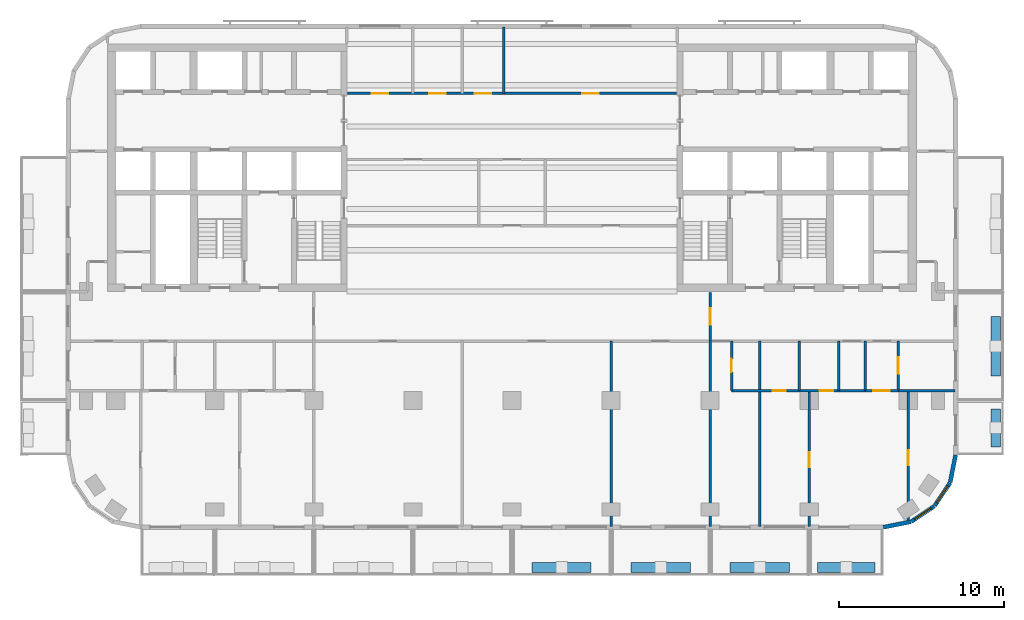
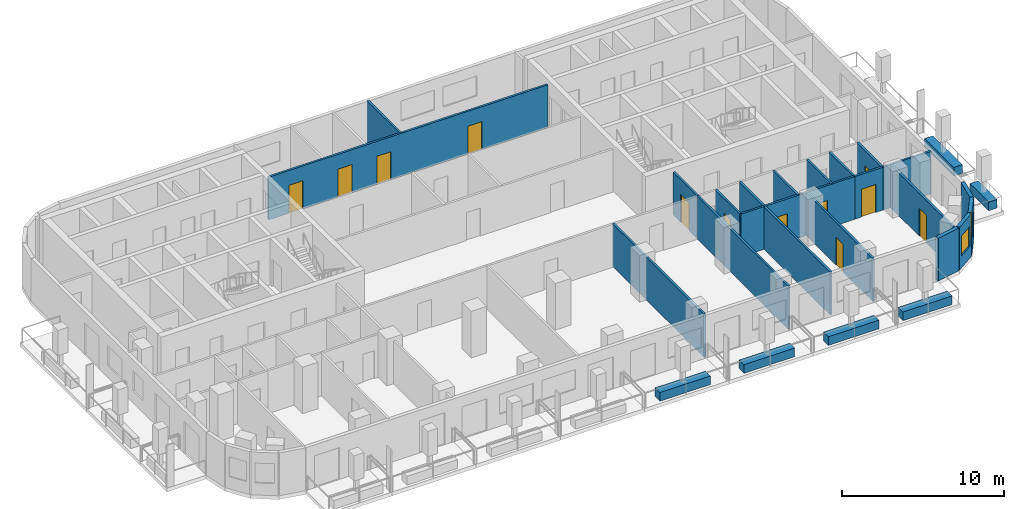
# One storey, part 5 of 11: 26 walls, 12 doors, 2 windows, 14 openings.
"""IFC4 building model written with IfcOpenShell, lengths in metres."""

from ifc_helpers import new_model, si_unit, direction, frame, frame_2d, origin, place, context, subcontext, project, spatial, rectangle, extrude, material, layer, layer_set, type_object, element, fill, save


model = new_model("IFC4")

# Units and contexts
model_context = context("Model", 3, precision=1e-05, world=origin(), true_north=direction((0.0, 1.0)))
body_context = subcontext(model_context, "Body", "Model", "MODEL_VIEW")
ifc_project = project(units=[si_unit("LENGTHUNIT", "METRE"), si_unit("AREAUNIT", "SQUARE_METRE"), si_unit("VOLUMEUNIT", "CUBIC_METRE"), si_unit("PLANEANGLEUNIT", "RADIAN"), si_unit("MASSUNIT", "GRAM", prefix="KILO")], contexts=[model_context])

# Site, building, storey
site_placement = place(None, origin())
site = spatial("IfcSite", under=ifc_project, at=site_placement, CompositionType="ELEMENT")
building_placement = place(site_placement, origin())
building = spatial("IfcBuilding", under=site, at=building_placement, Name="Torana Hotel and Residences", CompositionType="ELEMENT")
storey_placement = place(building_placement, frame((0.0, 0.0, 225.60009765625)))
storey = spatial("IfcBuildingStorey", under=building, at=storey_placement, Name="L59", CompositionType="ELEMENT", Elevation=225.60009765625)

# Wall
ifc_material_1 = material(Name="Black aluminium composite panel", Category="aluminium")
ifc_layer_1 = layer(ifc_material_1, 0.00390625, Name="Cladding", Category="cladding")
ifc_material_2 = material(Name="Ventilated air cavity")
ifc_layer_2 = layer(ifc_material_2, 0.0400390625, Name="Ventilated cavity", Category="cavity")
ifc_material_3 = material(Name="Mineral wool insulation")
ifc_layer_3 = layer(ifc_material_3, 0.090087890625, Name="Insulation", Category="insulation")
ifc_material_4 = material(Name="Steel S280GD", Category="steel")
ifc_layer_4 = layer(ifc_material_4, 0.092041015625, Name="Steel stud frame", Category="structure")
ifc_material_5 = material(Name="Fire rated plasterboard")
ifc_layer_5 = layer(ifc_material_5, 0.011962890625, Name="Inner board", Category="finish")
ifc_layer_6 = layer(ifc_material_5, 0.011962890625, Name="Second board", Category="finish")
ifc_layer_set_1 = layer_set([ifc_layer_1, ifc_layer_2, ifc_layer_3, ifc_layer_4, ifc_layer_5, ifc_layer_6], Name="EW1 EXTERNAL WALL BLACK METAL CLAD 250")
wall_type_1 = type_object("IfcWallType", Name="EW1 EXTERNAL WALL BLACK METAL CLAD 250", PredefinedType="SOLIDWALL", material=ifc_layer_set_1)
wall_1_placement = place(storey_placement, frame((22.499755859375, -29.272705078125, 0.0), z_axis=(0.0, 0.0, 1.0), x_axis=(0.980775640221, 0.19513878023, 0.0)))
element("IfcWall", 1, at=wall_1_placement, inside=storey, type_object=wall_type_1, Name="External wall L59 e0.15", PredefinedType="SOLIDWALL", context=body_context, shape_type="SweptSolid", body=[
    extrude(rectangle(XDim=1.681396484375, YDim=0.25, at=frame_2d((0.8408203125, 0.0))), origin(), (0.0, 0.0, 1.0), 3.219970703125),
])

# Wall, opening, window
wall_2_placement = place(storey_placement, frame((24.194091796875, -28.92578125, 0.0), z_axis=(0.0, 0.0, 1.0), x_axis=(0.831482937015, 0.55555029066, 0.0)))
wall_2 = element("IfcWall", 2, at=wall_2_placement, inside=storey, type_object=wall_type_1, Name="External wall L59 e0.16", PredefinedType="SOLIDWALL", context=body_context, shape_type="SweptSolid", body=[
    extrude(rectangle(XDim=1.65625, YDim=0.25, at=frame_2d((0.828125, 0.0))), origin(), (0.0, 0.0, 1.0), 3.219970703125),
])
opening_1_placement = place(wall_2_placement, frame((0.228271484375, 0.0, 0.89990234375)))
opening_1 = element("IfcOpeningElement", 3, at=opening_1_placement, cuts=wall_2, Name="Opening W5", PredefinedType="OPENING", context=body_context, shape_type="SweptSolid", body=[
    extrude(rectangle(XDim=1.199951171875, YDim=1.5, at=frame_2d((0.60009765625, 0.75))), frame((0.0, 0.135009765625, 0.0), z_axis=(0.0, -1.0, 0.0), x_axis=(1.0, 0.0, 0.0)), (0.0, 0.0, 1.0), 0.27001953125),
])
ifc_material_6 = material(Name="Dark glass in black aluminium frame", Category="aluminium")
window_type = type_object("IfcWindowType", Name="W5 CORNER FACET WINDOW 1200x1500", PartitioningType="SINGLE_PANEL", PredefinedType="WINDOW", material=ifc_material_6)
window_1_placement = place(opening_1_placement, origin())
window_1 = element("IfcWindow", 4, at=window_1_placement, inside=storey, type_object=window_type, Name="Window L59 e0.16", OverallHeight=1.5, OverallWidth=1.199951171875, PartitioningType="SINGLE_PANEL", PredefinedType="WINDOW", context=body_context, shape_type="SweptSolid", body=[
    extrude(rectangle(XDim=1.199951171875, YDim=1.5, at=frame_2d((0.60009765625, 0.75))), frame((0.0, 0.030029296875, 0.0), z_axis=(0.0, -1.0, 0.0), x_axis=(1.0, 0.0, 0.0)), (0.0, 0.0, 1.0), 0.06005859375),
])
fill(opening_1, window_1)

wall_3_placement = place(storey_placement, frame((25.605712890625, -27.97119140625, 0.0), z_axis=(0.0, 0.0, 1.0), x_axis=(0.55555029066, 0.831482937015, 0.0)))
wall_3 = element("IfcWall", 5, at=wall_3_placement, inside=storey, type_object=wall_type_1, Name="External wall L59 e0.17", PredefinedType="SOLIDWALL", context=body_context, shape_type="SweptSolid", body=[
    extrude(rectangle(XDim=1.65625, YDim=0.25, at=frame_2d((0.828125, 0.0))), origin(), (0.0, 0.0, 1.0), 3.219970703125),
])
opening_2_placement = place(wall_3_placement, frame((0.228271484375, 0.0, 0.89990234375)))
opening_2 = element("IfcOpeningElement", 6, at=opening_2_placement, cuts=wall_3, Name="Opening W5", PredefinedType="OPENING", context=body_context, shape_type="SweptSolid", body=[
    extrude(rectangle(XDim=1.199951171875, YDim=1.5, at=frame_2d((0.60009765625, 0.75))), frame((0.0, 0.135009765625, 0.0), z_axis=(0.0, -1.0, 0.0), x_axis=(1.0, 0.0, 0.0)), (0.0, 0.0, 1.0), 0.27001953125),
])
window_2_placement = place(opening_2_placement, origin())
window_2 = element("IfcWindow", 7, at=window_2_placement, inside=storey, type_object=window_type, Name="Window L59 e0.17", OverallHeight=1.5, OverallWidth=1.199951171875, PartitioningType="SINGLE_PANEL", PredefinedType="WINDOW", context=body_context, shape_type="SweptSolid", body=[
    extrude(rectangle(XDim=1.199951171875, YDim=1.5, at=frame_2d((0.60009765625, 0.75))), frame((0.0, 0.030029296875, 0.0), z_axis=(0.0, -1.0, 0.0), x_axis=(1.0, 0.0, 0.0)), (0.0, 0.0, 1.0), 0.06005859375),
])
fill(opening_2, window_2)

# Wall
wall_4_placement = place(storey_placement, frame((26.544677734375, -26.548828125, 0.0), z_axis=(0.0, 0.0, 1.0), x_axis=(0.195026884138, 0.980797896849, 0.0)))
element("IfcWall", 8, at=wall_4_placement, inside=storey, type_object=wall_type_1, Name="External wall L59 e0.18", PredefinedType="SOLIDWALL", context=body_context, shape_type="SweptSolid", body=[
    extrude(rectangle(XDim=1.68115234375, YDim=0.25, at=frame_2d((0.840576171875, 0.0))), origin(), (0.0, 0.0, 1.0), 3.219970703125),
])

# Wall, opening, door
ifc_material_7 = material(Name="Gypsum plaster")
ifc_layer_7 = layer(ifc_material_7, 0.014892578125, Name="Plaster", Category="finish")
ifc_material_8 = material(Name="Concrete blockwork", Category="masonry")
ifc_layer_8 = layer(ifc_material_8, 0.1201171875, Name="Blockwork", Category="structure")
ifc_layer_9 = layer(ifc_material_7, 0.014892578125, Name="Plaster", Category="finish")
ifc_layer_set_2 = layer_set([ifc_layer_7, ifc_layer_8, ifc_layer_9], Name="FIRE PARTITION 150 BLOCKWORK")
wall_type_2 = type_object("IfcWallType", Name="FIRE PARTITION 150 BLOCKWORK", PredefinedType="PARTITIONING", material=ifc_layer_set_2)
wall_5_placement = place(storey_placement, frame((23.39990234375, -21.0, 0.0), z_axis=(0.0, 0.0, 1.0), x_axis=(0.0, 1.0, 0.0)))
wall_5 = element("IfcWall", 9, at=wall_5_placement, inside=storey, type_object=wall_type_2, Name="Partition L59", PredefinedType="PARTITIONING", context=body_context, shape_type="SweptSolid", body=[
    extrude(rectangle(XDim=3.0, YDim=0.14990234375, at=frame_2d((1.5, 0.0))), origin(), (0.0, 0.0, 1.0), 3.219970703125),
])
opening_3_placement = place(wall_5_placement, frame((1.02001953125, 0.0, 0.0)))
opening_3 = element("IfcOpeningElement", 10, at=opening_3_placement, cuts=wall_5, Name="Opening L59-60", PredefinedType="OPENING", context=body_context, shape_type="SweptSolid", body=[
    extrude(rectangle(XDim=1.0, YDim=2.10009765625, at=frame_2d((0.5, 1.050048828125))), frame((0.0, 0.0849609375, 0.0), z_axis=(0.0, -1.0, 0.0), x_axis=(1.0, 0.0, 0.0)), (0.0, 0.0, 1.0), 0.169921875),
])
ifc_material_9 = material(Name="Steel S235", Category="steel")
door_type_1 = type_object("IfcDoorType", Name="ENTRY FIRE DOOR D6 1000x2100", OperationType="SINGLE_SWING_LEFT", PredefinedType="DOOR", material=ifc_material_9)
door_1_placement = place(opening_3_placement, frame((0.5, 0.0, 0.0), z_axis=(0.0, 0.0, 1.0), x_axis=(-1.0, 0.0, 0.0)))
door_1 = element("IfcDoor", 11, at=door_1_placement, inside=storey, type_object=door_type_1, Name="Door L59", OperationType="SINGLE_SWING_LEFT", OverallHeight=2.10009765625, OverallWidth=1.0, PredefinedType="DOOR", context=body_context, shape_type="SweptSolid", body=[
    extrude(rectangle(XDim=1.0, YDim=2.10009765625, at=frame_2d((0.0, 1.050048828125))), frame((0.0, -0.02490234375, 0.0), z_axis=(0.0, 1.0, 0.0), x_axis=(-1.0, 0.0, 0.0)), (0.0, 0.0, 1.0), 0.050048828125),
])
fill(opening_3, door_1)

# Wall
wall_6_placement = place(storey_placement, frame((21.39990234375, -21.0, 0.0), z_axis=(0.0, 0.0, 1.0), x_axis=(0.0, 1.0, 0.0)))
element("IfcWall", 12, at=wall_6_placement, inside=storey, type_object=wall_type_2, Name="Partition L59", PredefinedType="PARTITIONING", context=body_context, shape_type="SweptSolid", body=[
    extrude(rectangle(XDim=3.0, YDim=0.14990234375, at=frame_2d((1.5, 0.0))), origin(), (0.0, 0.0, 1.0), 3.219970703125),
])

# Wall, opening, door
wall_7_placement = place(storey_placement, frame((12.0, -18.0, 0.0), z_axis=(0.0, 0.0, 1.0), x_axis=(0.0, 1.0, 0.0)))
wall_7 = element("IfcWall", 13, at=wall_7_placement, inside=storey, type_object=wall_type_2, Name="Partition L59", PredefinedType="PARTITIONING", context=body_context, shape_type="SweptSolid", body=[
    extrude(rectangle(XDim=2.949951171875, YDim=0.14990234375, at=frame_2d((1.47509765625, 0.0))), origin(), (0.0, 0.0, 1.0), 3.219970703125),
])
opening_4_placement = place(wall_7_placement, frame((1.0, 0.0, 0.0)))
opening_4 = element("IfcOpeningElement", 14, at=opening_4_placement, cuts=wall_7, Name="Opening L59-35", PredefinedType="OPENING", context=body_context, shape_type="SweptSolid", body=[
    extrude(rectangle(XDim=1.0, YDim=2.10009765625, at=frame_2d((0.5, 1.050048828125))), frame((0.0, 0.0849609375, 0.0), z_axis=(0.0, -1.0, 0.0), x_axis=(1.0, 0.0, 0.0)), (0.0, 0.0, 1.0), 0.169921875),
])
door_2_placement = place(opening_4_placement, origin())
door_2 = element("IfcDoor", 15, at=door_2_placement, inside=storey, type_object=door_type_1, Name="Door L59", OperationType="SINGLE_SWING_RIGHT", OverallHeight=2.10009765625, OverallWidth=1.0, PredefinedType="DOOR", context=body_context, shape_type="SweptSolid", body=[
    extrude(rectangle(XDim=1.0, YDim=2.10009765625, at=frame_2d((0.5, 1.050048828125))), frame((0.0, 0.02490234375, 0.0), z_axis=(0.0, -1.0, 0.0), x_axis=(1.0, 0.0, 0.0)), (0.0, 0.0, 1.0), 0.050048828125),
])
fill(opening_4, door_2)

wall_8_placement = place(storey_placement, frame((21.39990234375, -21.0, 0.0), z_axis=(0.0, 0.0, 1.0), x_axis=(1.0, 0.0, 0.0)))
wall_8 = element("IfcWall", 16, at=wall_8_placement, inside=storey, type_object=wall_type_2, Name="Partition L59", PredefinedType="PARTITIONING", context=body_context, shape_type="SweptSolid", body=[
    extrude(rectangle(XDim=2.0, YDim=0.14990234375, at=frame_2d((1.0, 0.0))), origin(), (0.0, 0.0, 1.0), 3.219970703125),
])
opening_5_placement = place(wall_8_placement, frame((0.47998046875, 0.0, 0.0)))
opening_5 = element("IfcOpeningElement", 17, at=opening_5_placement, cuts=wall_8, Name="Opening L59-61", PredefinedType="OPENING", context=body_context, shape_type="SweptSolid", body=[
    extrude(rectangle(XDim=1.0, YDim=2.10009765625, at=frame_2d((0.5, 1.050048828125))), frame((0.0, 0.0849609375, 0.0), z_axis=(0.0, -1.0, 0.0), x_axis=(1.0, 0.0, 0.0)), (0.0, 0.0, 1.0), 0.169921875),
])
door_3_placement = place(opening_5_placement, frame((0.5, 0.0, 0.0), z_axis=(0.0, 0.0, 1.0), x_axis=(-1.0, 0.0, 0.0)))
door_3 = element("IfcDoor", 18, at=door_3_placement, inside=storey, type_object=door_type_1, Name="Door L59", OperationType="SINGLE_SWING_RIGHT", OverallHeight=2.10009765625, OverallWidth=1.0, PredefinedType="DOOR", context=body_context, shape_type="SweptSolid", body=[
    extrude(rectangle(XDim=1.0, YDim=2.10009765625, at=frame_2d((0.0, 1.050048828125))), frame((0.0, -0.02490234375, 0.0), z_axis=(0.0, 1.0, 0.0), x_axis=(-1.0, 0.0, 0.0)), (0.0, 0.0, 1.0), 0.050048828125),
])
fill(opening_5, door_3)

# Wall, openings, doors
wall_9_placement = place(storey_placement, frame((-9.949951171875, -3.0, 0.0), z_axis=(0.0, 0.0, 1.0), x_axis=(1.0, 0.0, 0.0)))
wall_9 = element("IfcWall", 19, at=wall_9_placement, inside=storey, type_object=wall_type_2, Name="Partition L59", PredefinedType="PARTITIONING", context=body_context, shape_type="SweptSolid", body=[
    extrude(rectangle(XDim=19.89990234375, YDim=0.14990234375, at=frame_2d((9.949951171875, 0.0))), origin(), (0.0, 0.0, 1.0), 3.219970703125),
])
opening_6_placement = place(wall_9_placement, frame((1.449951171875, 0.0, 0.0)))
opening_6 = element("IfcOpeningElement", 20, at=opening_6_placement, cuts=wall_9, Name="Opening L59-47", PredefinedType="OPENING", context=body_context, shape_type="SweptSolid", body=[
    extrude(rectangle(XDim=1.0, YDim=2.10009765625, at=frame_2d((0.5, 1.050048828125))), frame((0.0, 0.0849609375, 0.0), z_axis=(0.0, -1.0, 0.0), x_axis=(1.0, 0.0, 0.0)), (0.0, 0.0, 1.0), 0.169921875),
])
opening_7_placement = place(wall_9_placement, frame((4.949951171875, 0.0, 0.0)))
opening_7 = element("IfcOpeningElement", 21, at=opening_7_placement, cuts=wall_9, Name="Opening L59-48", PredefinedType="OPENING", context=body_context, shape_type="SweptSolid", body=[
    extrude(rectangle(XDim=1.0, YDim=2.10009765625, at=frame_2d((0.5, 1.050048828125))), frame((0.0, 0.0849609375, 0.0), z_axis=(0.0, -1.0, 0.0), x_axis=(1.0, 0.0, 0.0)), (0.0, 0.0, 1.0), 0.169921875),
])
opening_8_placement = place(wall_9_placement, frame((7.699951171875, 0.0, 0.0)))
opening_8 = element("IfcOpeningElement", 22, at=opening_8_placement, cuts=wall_9, Name="Opening L59-49", PredefinedType="OPENING", context=body_context, shape_type="SweptSolid", body=[
    extrude(rectangle(XDim=1.0, YDim=2.10009765625, at=frame_2d((0.5, 1.050048828125))), frame((0.0, 0.0849609375, 0.0), z_axis=(0.0, -1.0, 0.0), x_axis=(1.0, 0.0, 0.0)), (0.0, 0.0, 1.0), 0.169921875),
])
opening_9_placement = place(wall_9_placement, frame((14.199951171875, 0.0, 0.0)))
opening_9 = element("IfcOpeningElement", 23, at=opening_9_placement, cuts=wall_9, Name="Opening L59-50", PredefinedType="OPENING", context=body_context, shape_type="SweptSolid", body=[
    extrude(rectangle(XDim=1.0, YDim=2.10009765625, at=frame_2d((0.5, 1.050048828125))), frame((0.0, 0.0849609375, 0.0), z_axis=(0.0, -1.0, 0.0), x_axis=(1.0, 0.0, 0.0)), (0.0, 0.0, 1.0), 0.169921875),
])
door_4_placement = place(opening_6_placement, origin())
door_4 = element("IfcDoor", 24, at=door_4_placement, inside=storey, type_object=door_type_1, Name="Door L59", OperationType="SINGLE_SWING_RIGHT", OverallHeight=2.10009765625, OverallWidth=1.0, PredefinedType="DOOR", context=body_context, shape_type="SweptSolid", body=[
    extrude(rectangle(XDim=1.0, YDim=2.10009765625, at=frame_2d((0.5, 1.050048828125))), frame((0.0, 0.02490234375, 0.0), z_axis=(0.0, -1.0, 0.0), x_axis=(1.0, 0.0, 0.0)), (0.0, 0.0, 1.0), 0.050048828125),
])
fill(opening_6, door_4)
door_5_placement = place(opening_7_placement, origin())
door_5 = element("IfcDoor", 25, at=door_5_placement, inside=storey, type_object=door_type_1, Name="Door L59", OperationType="SINGLE_SWING_RIGHT", OverallHeight=2.10009765625, OverallWidth=1.0, PredefinedType="DOOR", context=body_context, shape_type="SweptSolid", body=[
    extrude(rectangle(XDim=1.0, YDim=2.10009765625, at=frame_2d((0.5, 1.050048828125))), frame((0.0, 0.02490234375, 0.0), z_axis=(0.0, -1.0, 0.0), x_axis=(1.0, 0.0, 0.0)), (0.0, 0.0, 1.0), 0.050048828125),
])
fill(opening_7, door_5)
door_6_placement = place(opening_8_placement, origin())
door_6 = element("IfcDoor", 26, at=door_6_placement, inside=storey, type_object=door_type_1, Name="Door L59", OperationType="SINGLE_SWING_RIGHT", OverallHeight=2.10009765625, OverallWidth=1.0, PredefinedType="DOOR", context=body_context, shape_type="SweptSolid", body=[
    extrude(rectangle(XDim=1.0, YDim=2.10009765625, at=frame_2d((0.5, 1.050048828125))), frame((0.0, 0.02490234375, 0.0), z_axis=(0.0, -1.0, 0.0), x_axis=(1.0, 0.0, 0.0)), (0.0, 0.0, 1.0), 0.050048828125),
])
fill(opening_8, door_6)
door_7_placement = place(opening_9_placement, origin())
door_7 = element("IfcDoor", 27, at=door_7_placement, inside=storey, type_object=door_type_1, Name="Door L59", OperationType="SINGLE_SWING_RIGHT", OverallHeight=2.10009765625, OverallWidth=1.0, PredefinedType="DOOR", context=body_context, shape_type="SweptSolid", body=[
    extrude(rectangle(XDim=1.0, YDim=2.10009765625, at=frame_2d((0.5, 1.050048828125))), frame((0.0, 0.02490234375, 0.0), z_axis=(0.0, -1.0, 0.0), x_axis=(1.0, 0.0, 0.0)), (0.0, 0.0, 1.0), 0.050048828125),
])
fill(opening_9, door_7)

# Wall, opening, door
ifc_material_10 = material(Name="Gypsum plasterboard")
ifc_layer_10 = layer(ifc_material_10, 0.012451171875, Name="Plasterboard", Category="finish")
ifc_layer_11 = layer(ifc_material_10, 0.012451171875, Name="Plasterboard", Category="finish")
ifc_layer_12 = layer(ifc_material_4, 0.10009765625, Name="Steel studs with mineral wool", Category="insulation")
ifc_layer_13 = layer(ifc_material_10, 0.012451171875, Name="Plasterboard", Category="finish")
ifc_layer_14 = layer(ifc_material_10, 0.012451171875, Name="Plasterboard", Category="finish")
ifc_layer_set_3 = layer_set([ifc_layer_10, ifc_layer_11, ifc_layer_12, ifc_layer_13, ifc_layer_14], Name="PARTITION 150 PLASTERBOARD")
wall_type_3 = type_object("IfcWallType", Name="PARTITION 150 PLASTERBOARD", PredefinedType="PARTITIONING", material=ifc_layer_set_3)
wall_10_placement = place(storey_placement, frame((24.0, -28.918212890625, 0.0), z_axis=(0.0, 0.0, 1.0), x_axis=(0.0, 1.0, 0.0)))
wall_10 = element("IfcWall", 28, at=wall_10_placement, inside=storey, type_object=wall_type_3, Name="Partition L59", PredefinedType="PARTITIONING", context=body_context, shape_type="SweptSolid", body=[
    extrude(rectangle(XDim=7.918212890625, YDim=0.14990234375, at=frame_2d((3.958984375, 0.0))), origin(), (0.0, 0.0, 1.0), 3.219970703125),
])
opening_10_placement = place(wall_10_placement, frame((3.398193359375, 0.0, 0.0)))
opening_10 = element("IfcOpeningElement", 29, at=opening_10_placement, cuts=wall_10, Name="Opening L59-63", PredefinedType="OPENING", context=body_context, shape_type="SweptSolid", body=[
    extrude(rectangle(XDim=0.89990234375, YDim=2.10009765625, at=frame_2d((0.449951171875, 1.050048828125))), frame((0.0, 0.0849609375, 0.0), z_axis=(0.0, -1.0, 0.0), x_axis=(1.0, 0.0, 0.0)), (0.0, 0.0, 1.0), 0.169921875),
])
ifc_material_11 = material(Name="Timber door, oiled ash", Category="wood")
door_type_2 = type_object("IfcDoorType", Name="ROOM DOOR D7 900x2100", OperationType="SINGLE_SWING_LEFT", PredefinedType="DOOR", material=ifc_material_11)
door_8_placement = place(opening_10_placement, origin())
door_8 = element("IfcDoor", 30, at=door_8_placement, inside=storey, type_object=door_type_2, Name="Door L59", OperationType="SINGLE_SWING_RIGHT", OverallHeight=2.10009765625, OverallWidth=0.89990234375, PredefinedType="DOOR", context=body_context, shape_type="SweptSolid", body=[
    extrude(rectangle(XDim=0.89990234375, YDim=2.10009765625, at=frame_2d((0.449951171875, 1.050048828125))), frame((0.0, 0.02490234375, 0.0), z_axis=(0.0, -1.0, 0.0), x_axis=(1.0, 0.0, 0.0)), (0.0, 0.0, 1.0), 0.050048828125),
])
fill(opening_10, door_8)

# Wall
wall_11_placement = place(storey_placement, frame((19.800048828125, -21.0, 0.0), z_axis=(0.0, 0.0, 1.0), x_axis=(0.0, 1.0, 0.0)))
element("IfcWall", 31, at=wall_11_placement, inside=storey, type_object=wall_type_3, Name="Partition L59", PredefinedType="PARTITIONING", context=body_context, shape_type="SweptSolid", body=[
    extrude(rectangle(XDim=3.0, YDim=0.14990234375, at=frame_2d((1.5, 0.0))), origin(), (0.0, 0.0, 1.0), 3.219970703125),
])

# Wall, opening, door
wall_12_placement = place(storey_placement, frame((18.0, -29.219970703125, 0.0), z_axis=(0.0, 0.0, 1.0), x_axis=(0.0, 1.0, 0.0)))
wall_12 = element("IfcWall", 32, at=wall_12_placement, inside=storey, type_object=wall_type_3, Name="Partition L59", PredefinedType="PARTITIONING", context=body_context, shape_type="SweptSolid", body=[
    extrude(rectangle(XDim=8.219970703125, YDim=0.14990234375, at=frame_2d((4.10986328125, 0.0))), origin(), (0.0, 0.0, 1.0), 3.219970703125),
])
opening_11_placement = place(wall_12_placement, frame((3.590087890625, 0.0, 0.0)))
opening_11 = element("IfcOpeningElement", 33, at=opening_11_placement, cuts=wall_12, Name="Opening L59-62", PredefinedType="OPENING", context=body_context, shape_type="SweptSolid", body=[
    extrude(rectangle(XDim=0.89990234375, YDim=2.10009765625, at=frame_2d((0.449951171875, 1.050048828125))), frame((0.0, 0.0849609375, 0.0), z_axis=(0.0, -1.0, 0.0), x_axis=(1.0, 0.0, 0.0)), (0.0, 0.0, 1.0), 0.169921875),
])
door_9_placement = place(opening_11_placement, origin())
door_9 = element("IfcDoor", 34, at=door_9_placement, inside=storey, type_object=door_type_2, Name="Door L59", OperationType="SINGLE_SWING_RIGHT", OverallHeight=2.10009765625, OverallWidth=0.89990234375, PredefinedType="DOOR", context=body_context, shape_type="SweptSolid", body=[
    extrude(rectangle(XDim=0.89990234375, YDim=2.10009765625, at=frame_2d((0.449951171875, 1.050048828125))), frame((0.0, 0.02490234375, 0.0), z_axis=(0.0, -1.0, 0.0), x_axis=(1.0, 0.0, 0.0)), (0.0, 0.0, 1.0), 0.050048828125),
])
fill(opening_11, door_9)

# Walls
wall_13_placement = place(storey_placement, frame((17.39990234375, -21.0, 0.0), z_axis=(0.0, 0.0, 1.0), x_axis=(0.0, 1.0, 0.0)))
element("IfcWall", 35, at=wall_13_placement, inside=storey, type_object=wall_type_3, Name="Partition L59", PredefinedType="PARTITIONING", context=body_context, shape_type="SweptSolid", body=[
    extrude(rectangle(XDim=3.0, YDim=0.14990234375, at=frame_2d((1.5, 0.0))), origin(), (0.0, 0.0, 1.0), 3.219970703125),
])
wall_14_placement = place(storey_placement, frame((15.0, -29.219970703125, 0.0), z_axis=(0.0, 0.0, 1.0), x_axis=(0.0, 1.0, 0.0)))
element("IfcWall", 36, at=wall_14_placement, inside=storey, type_object=wall_type_3, Name="Partition L59", PredefinedType="PARTITIONING", context=body_context, shape_type="SweptSolid", body=[
    extrude(rectangle(XDim=11.219970703125, YDim=0.14990234375, at=frame_2d((5.60986328125, 0.0))), origin(), (0.0, 0.0, 1.0), 3.219970703125),
])

# Wall, opening, door
wall_15_placement = place(storey_placement, frame((13.300048828125, -21.0, 0.0), z_axis=(0.0, 0.0, 1.0), x_axis=(0.0, 1.0, 0.0)))
wall_15 = element("IfcWall", 37, at=wall_15_placement, inside=storey, type_object=wall_type_3, Name="Partition L59", PredefinedType="PARTITIONING", context=body_context, shape_type="SweptSolid", body=[
    extrude(rectangle(XDim=3.0, YDim=0.14990234375, at=frame_2d((1.5, 0.0))), origin(), (0.0, 0.0, 1.0), 3.219970703125),
])
opening_12_placement = place(wall_15_placement, frame((1.1201171875, 0.0, 0.0)))
opening_12 = element("IfcOpeningElement", 38, at=opening_12_placement, cuts=wall_15, Name="Opening L59-51", PredefinedType="OPENING", context=body_context, shape_type="SweptSolid", body=[
    extrude(rectangle(XDim=0.800048828125, YDim=2.10009765625, at=frame_2d((0.39990234375, 1.050048828125))), frame((0.0, 0.0849609375, 0.0), z_axis=(0.0, -1.0, 0.0), x_axis=(1.0, 0.0, 0.0)), (0.0, 0.0, 1.0), 0.169921875),
])
ifc_material_12 = material(Name="Timber door, painted", Category="wood")
door_type_3 = type_object("IfcDoorType", Name="BATH DOOR D13 800x2100", OperationType="SINGLE_SWING_LEFT", PredefinedType="DOOR", material=ifc_material_12)
door_10_placement = place(opening_12_placement, origin())
door_10 = element("IfcDoor", 39, at=door_10_placement, inside=storey, type_object=door_type_3, Name="Door L59", OperationType="SINGLE_SWING_LEFT", OverallHeight=2.10009765625, OverallWidth=0.800048828125, PredefinedType="DOOR", context=body_context, shape_type="SweptSolid", body=[
    extrude(rectangle(XDim=0.800048828125, YDim=2.10009765625, at=frame_2d((0.39990234375, 1.050048828125))), frame((0.0, 0.02490234375, 0.0), z_axis=(0.0, -1.0, 0.0), x_axis=(1.0, 0.0, 0.0)), (0.0, 0.0, 1.0), 0.050048828125),
])
fill(opening_12, door_10)

# Walls
for number, where, z_axis, x_axis, name in (
    (40, (12.0, -29.219970703125, 0.0), (0.0, 0.0, 1.0), (0.0, 1.0, 0.0), "Partition L59"),
    (41, (6.0, -29.219970703125, 0.0), (0.0, 0.0, 1.0), (0.0, 1.0, 0.0), "Partition L59"),
):
    element("IfcWall", number, at=place(storey_placement, frame(where, z_axis=z_axis, x_axis=x_axis)), inside=storey, type_object=wall_type_3, Name=name, PredefinedType="PARTITIONING", context=body_context, shape_type="SweptSolid", body=[
        extrude(rectangle(XDim=11.219970703125, YDim=0.14990234375, at=frame_2d((5.60986328125, 0.0))), origin(), (0.0, 0.0, 1.0), 3.219970703125),
    ])

# Wall, openings, doors
wall_16_placement = place(storey_placement, frame((13.300048828125, -21.0, 0.0), z_axis=(0.0, 0.0, 1.0), x_axis=(1.0, 0.0, 0.0)))
wall_16 = element("IfcWall", 42, at=wall_16_placement, inside=storey, type_object=wall_type_3, Name="Partition L59", PredefinedType="PARTITIONING", context=body_context, shape_type="SweptSolid", body=[
    extrude(rectangle(XDim=8.099853515625, YDim=0.14990234375, at=frame_2d((4.0498046875, 0.0))), origin(), (0.0, 0.0, 1.0), 3.219970703125),
])
opening_13_placement = place(wall_16_placement, frame((2.47998046875, 0.0, 0.0)))
opening_13 = element("IfcOpeningElement", 43, at=opening_13_placement, cuts=wall_16, Name="Opening L59-58", PredefinedType="OPENING", context=body_context, shape_type="SweptSolid", body=[
    extrude(rectangle(XDim=0.800048828125, YDim=2.10009765625, at=frame_2d((0.39990234375, 1.050048828125))), frame((0.0, 0.0849609375, 0.0), z_axis=(0.0, -1.0, 0.0), x_axis=(1.0, 0.0, 0.0)), (0.0, 0.0, 1.0), 0.169921875),
])
opening_14_placement = place(wall_16_placement, frame((5.35009765625, 0.0, 0.0)))
opening_14 = element("IfcOpeningElement", 44, at=opening_14_placement, cuts=wall_16, Name="Opening L59-59", PredefinedType="OPENING", context=body_context, shape_type="SweptSolid", body=[
    extrude(rectangle(XDim=0.800048828125, YDim=2.10009765625, at=frame_2d((0.39990234375, 1.050048828125))), frame((0.0, 0.0849609375, 0.0), z_axis=(0.0, -1.0, 0.0), x_axis=(1.0, 0.0, 0.0)), (0.0, 0.0, 1.0), 0.169921875),
])
door_11_placement = place(opening_13_placement, origin())
door_11 = element("IfcDoor", 45, at=door_11_placement, inside=storey, type_object=door_type_3, Name="Door L59", OperationType="SINGLE_SWING_RIGHT", OverallHeight=2.10009765625, OverallWidth=0.800048828125, PredefinedType="DOOR", context=body_context, shape_type="SweptSolid", body=[
    extrude(rectangle(XDim=0.800048828125, YDim=2.10009765625, at=frame_2d((0.39990234375, 1.050048828125))), frame((0.0, 0.02490234375, 0.0), z_axis=(0.0, -1.0, 0.0), x_axis=(1.0, 0.0, 0.0)), (0.0, 0.0, 1.0), 0.050048828125),
])
fill(opening_13, door_11)
door_12_placement = place(opening_14_placement, origin())
door_12 = element("IfcDoor", 46, at=door_12_placement, inside=storey, type_object=door_type_3, Name="Door L59", OperationType="SINGLE_SWING_LEFT", OverallHeight=2.10009765625, OverallWidth=0.800048828125, PredefinedType="DOOR", context=body_context, shape_type="SweptSolid", body=[
    extrude(rectangle(XDim=0.800048828125, YDim=2.10009765625, at=frame_2d((0.39990234375, 1.050048828125))), frame((0.0, 0.02490234375, 0.0), z_axis=(0.0, -1.0, 0.0), x_axis=(1.0, 0.0, 0.0)), (0.0, 0.0, 1.0), 0.050048828125),
])
fill(opening_14, door_12)

# Walls
wall_17_placement = place(storey_placement, frame((23.39990234375, -21.0, 0.0), z_axis=(0.0, 0.0, 1.0), x_axis=(1.0, 0.0, 0.0)))
element("IfcWall", 47, at=wall_17_placement, inside=storey, type_object=wall_type_3, Name="Partition L59", PredefinedType="PARTITIONING", context=body_context, shape_type="SweptSolid", body=[
    extrude(rectangle(XDim=3.420166015625, YDim=0.14990234375, at=frame_2d((1.7099609375, 0.0))), origin(), (0.0, 0.0, 1.0), 3.219970703125),
])
ifc_material_13 = material(Name="Concrete C40/50 precast", Category="concrete")
ifc_layer_15 = layer(ifc_material_13, 0.10009765625, Name="Planter shell", Category="structure")
ifc_material_14 = material(Name="Root resistant membrane")
ifc_layer_16 = layer(ifc_material_14, 0.00390625, Name="Waterproofing membrane", Category="membrane")
ifc_material_15 = material(Name="Drainage board with filter fleece")
ifc_layer_17 = layer(ifc_material_15, 0.02001953125, Name="Drainage board", Category="drainage")
ifc_material_16 = material(Name="Growing medium")
ifc_layer_18 = layer(ifc_material_16, 0.47607421875, Name="Planting substrate", Category="soil")
ifc_layer_set_4 = layer_set([ifc_layer_15, ifc_layer_16, ifc_layer_17, ifc_layer_18], Name="PL1 BALCONY PLANTER 600")
wall_type_4 = type_object("IfcWallType", Name="PL1 BALCONY PLANTER 600", PredefinedType="USERDEFINED", material=ifc_layer_set_4)
for number, where, z_axis, x_axis, name in (
    (48, (4.800048828125, -31.699951171875, 0.0), (0.0, 0.0, 1.0), (-1.0, 0.0, 0.0), "Planter 05"),
    (49, (10.800048828125, -31.699951171875, 0.0), (0.0, 0.0, 1.0), (-1.0, 0.0, 0.0), "Planter 06"),
    (50, (16.800048828125, -31.699951171875, 0.0), (0.0, 0.0, 1.0), (-1.0, 0.0, 0.0), "Planter 07"),
):
    element("IfcWall", number, at=place(storey_placement, frame(where, z_axis=z_axis, x_axis=x_axis)), inside=storey, type_object=wall_type_4, Name=name, ObjectType="PLANTER", PredefinedType="USERDEFINED", context=body_context, shape_type="SweptSolid", body=[
        extrude(rectangle(XDim=3.60009765625, YDim=0.60009765625, at=frame_2d((1.800048828125, 0.0))), origin(), (0.0, 0.0, 1.0), 0.64990234375),
    ])
wall_18_placement = place(storey_placement, frame((22.0, -31.699951171875, 0.0), z_axis=(0.0, 0.0, 1.0), x_axis=(-1.0, 0.0, 0.0)))
element("IfcWall", 51, at=wall_18_placement, inside=storey, type_object=wall_type_4, Name="Planter 08", ObjectType="PLANTER", PredefinedType="USERDEFINED", context=body_context, shape_type="SweptSolid", body=[
    extrude(rectangle(XDim=3.5, YDim=0.60009765625, at=frame_2d((1.75, 0.0))), origin(), (0.0, 0.0, 1.0), 0.64990234375),
])
wall_19_placement = place(storey_placement, frame((29.300048828125, -22.10009765625, 0.0), z_axis=(0.0, 0.0, 1.0), x_axis=(0.0, -1.0, 0.0)))
element("IfcWall", 52, at=wall_19_placement, inside=storey, type_object=wall_type_4, Name="Planter 12", ObjectType="PLANTER", PredefinedType="USERDEFINED", context=body_context, shape_type="SweptSolid", body=[
    extrude(rectangle(XDim=2.2998046875, YDim=0.60009765625, at=frame_2d((1.14990234375, 0.0))), origin(), (0.0, 0.0, 1.0), 0.64990234375),
])
wall_20_placement = place(storey_placement, frame((29.300048828125, -16.5, 0.0), z_axis=(0.0, 0.0, 1.0), x_axis=(0.0, -1.0, 0.0)))
element("IfcWall", 53, at=wall_20_placement, inside=storey, type_object=wall_type_4, Name="Planter 13", ObjectType="PLANTER", PredefinedType="USERDEFINED", context=body_context, shape_type="SweptSolid", body=[
    extrude(rectangle(XDim=3.60009765625, YDim=0.60009765625, at=frame_2d((1.800048828125, 0.0))), origin(), (0.0, 0.0, 1.0), 0.64990234375),
])
ifc_material_17 = material(Name="Ceramic tile on adhesive")
ifc_layer_19 = layer(ifc_material_17, 0.010009765625, Name="Wall tile", Category="finish")
ifc_material_18 = material(Name="Cement render")
ifc_layer_20 = layer(ifc_material_18, 0.010009765625, Name="Render", Category="finish")
ifc_layer_21 = layer(ifc_material_8, 0.110107421875, Name="Blockwork", Category="structure")
ifc_layer_22 = layer(ifc_material_18, 0.010009765625, Name="Render", Category="finish")
ifc_layer_23 = layer(ifc_material_17, 0.010009765625, Name="Wall tile", Category="finish")
ifc_layer_set_5 = layer_set([ifc_layer_19, ifc_layer_20, ifc_layer_21, ifc_layer_22, ifc_layer_23], Name="WC PARTITION 150")
wall_type_5 = type_object("IfcWallType", Name="WC PARTITION 150", PredefinedType="PLUMBINGWALL", material=ifc_layer_set_5)
wall_21_placement = place(storey_placement, frame((-0.5, -3.0, 0.0), z_axis=(0.0, 0.0, 1.0), x_axis=(0.0, 1.0, 0.0)))
element("IfcWall", 54, at=wall_21_placement, inside=storey, type_object=wall_type_5, Name="Partition L59", PredefinedType="PLUMBINGWALL", context=body_context, shape_type="SweptSolid", body=[
    extrude(rectangle(XDim=4.02001953125, YDim=0.14990234375, at=frame_2d((2.010009765625, 0.0))), origin(), (0.0, 0.0, 1.0), 3.219970703125),
])

save(model, "model.ifc")
